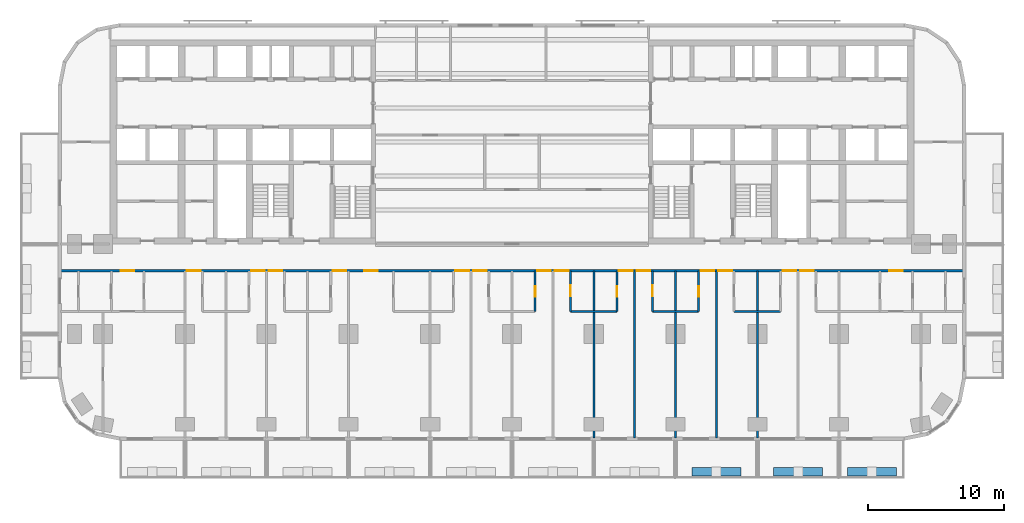
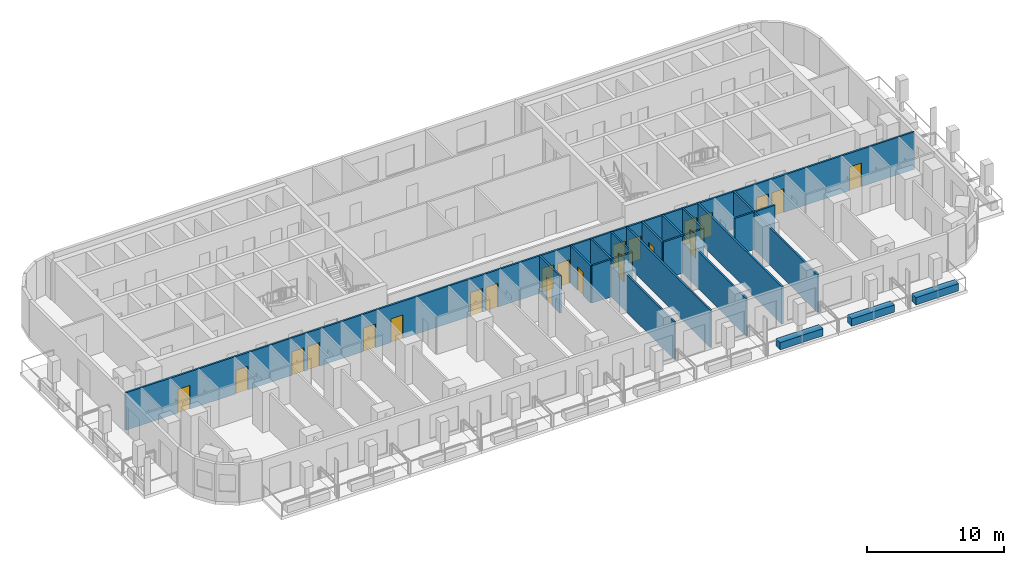
# One storey, part 6 of 15: 22 doors, 17 walls, 22 openings.
"""IFC4 building model written with IfcOpenShell, lengths in metres."""

from ifc_helpers import new_model, si_unit, direction, frame, frame_2d, origin, place, context, subcontext, project, spatial, rectangle, extrude, material, layer, layer_set, type_object, element, fill, save


model = new_model("IFC4")

# Units and contexts
model_context = context("Model", 3, precision=1e-05, world=origin(), true_north=direction((0.0, 1.0)))
body_context = subcontext(model_context, "Body", "Model", "MODEL_VIEW")
ifc_project = project(units=[si_unit("LENGTHUNIT", "METRE"), si_unit("AREAUNIT", "SQUARE_METRE"), si_unit("VOLUMEUNIT", "CUBIC_METRE"), si_unit("PLANEANGLEUNIT", "RADIAN"), si_unit("MASSUNIT", "GRAM", prefix="KILO")], contexts=[model_context])

# Site, building, storey
site_placement = place(None, origin())
site = spatial("IfcSite", under=ifc_project, at=site_placement, CompositionType="ELEMENT")
building_placement = place(site_placement, origin())
building = spatial("IfcBuilding", under=site, at=building_placement, Name="Torana Hotel and Residences", CompositionType="ELEMENT")
storey_placement = place(building_placement, frame((0.0, 0.0, 27.60009765625)))
storey = spatial("IfcBuildingStorey", under=building, at=storey_placement, Name="L05", CompositionType="ELEMENT", Elevation=27.60009765625)

# Wall, openings, doors
ifc_material_1 = material(Name="Gypsum plaster")
ifc_layer_1 = layer(ifc_material_1, 0.014892578125, Name="Plaster", Category="finish")
ifc_material_2 = material(Name="Concrete blockwork", Category="masonry")
ifc_layer_2 = layer(ifc_material_2, 0.1201171875, Name="Blockwork", Category="structure")
ifc_layer_3 = layer(ifc_material_1, 0.014892578125, Name="Plaster", Category="finish")
ifc_layer_set_1 = layer_set([ifc_layer_1, ifc_layer_2, ifc_layer_3], Name="FIRE PARTITION 150 BLOCKWORK")
wall_type_1 = type_object("IfcWallType", Name="FIRE PARTITION 150 BLOCKWORK", PredefinedType="PARTITIONING", material=ifc_layer_set_1)
wall_1_placement = place(storey_placement, frame((-33.1201171875, -16.949951171875, 0.0), z_axis=(0.0, 0.0, 1.0), x_axis=(1.0, 0.0, 0.0)))
wall_1 = element("IfcWall", 1, at=wall_1_placement, inside=storey, type_object=wall_type_1, Name="Partition L05", PredefinedType="PARTITIONING", context=body_context, shape_type="SweptSolid", body=[
    extrude(rectangle(XDim=66.240234375, YDim=0.14990234375, at=frame_2d((33.1201171875, 0.0))), origin(), (0.0, 0.0, 1.0), 3.31982421875),
])
opening_1_placement = place(wall_1_placement, frame((9.27001953125, 0.0, 0.0)))
opening_1 = element("IfcOpeningElement", 2, at=opening_1_placement, cuts=wall_1, Name="Opening L05-40", PredefinedType="OPENING", context=body_context, shape_type="SweptSolid", body=[
    extrude(rectangle(XDim=1.0, YDim=2.10009765625, at=frame_2d((0.5, 1.050048828125))), frame((0.0, 0.0849609375, 0.0), z_axis=(0.0, -1.0, 0.0), x_axis=(1.0, 0.0, 0.0)), (0.0, 0.0, 1.0), 0.169921875),
])
opening_2_placement = place(wall_1_placement, frame((13.969970703125, 0.0, 0.0)))
opening_2 = element("IfcOpeningElement", 3, at=opening_2_placement, cuts=wall_1, Name="Opening L05-41", PredefinedType="OPENING", context=body_context, shape_type="SweptSolid", body=[
    extrude(rectangle(XDim=1.0, YDim=2.10009765625, at=frame_2d((0.5, 1.050048828125))), frame((0.0, 0.0849609375, 0.0), z_axis=(0.0, -1.0, 0.0), x_axis=(1.0, 0.0, 0.0)), (0.0, 0.0, 1.0), 0.169921875),
])
opening_3_placement = place(wall_1_placement, frame((15.27001953125, 0.0, 0.0)))
opening_3 = element("IfcOpeningElement", 4, at=opening_3_placement, cuts=wall_1, Name="Opening L05-42", PredefinedType="OPENING", context=body_context, shape_type="SweptSolid", body=[
    extrude(rectangle(XDim=1.0, YDim=2.10009765625, at=frame_2d((0.5, 1.050048828125))), frame((0.0, 0.0849609375, 0.0), z_axis=(0.0, -1.0, 0.0), x_axis=(1.0, 0.0, 0.0)), (0.0, 0.0, 1.0), 0.169921875),
])
opening_4_placement = place(wall_1_placement, frame((19.969970703125, 0.0, 0.0)))
opening_4 = element("IfcOpeningElement", 5, at=opening_4_placement, cuts=wall_1, Name="Opening L05-43", PredefinedType="OPENING", context=body_context, shape_type="SweptSolid", body=[
    extrude(rectangle(XDim=1.0, YDim=2.10009765625, at=frame_2d((0.5, 1.050048828125))), frame((0.0, 0.0849609375, 0.0), z_axis=(0.0, -1.0, 0.0), x_axis=(1.0, 0.0, 0.0)), (0.0, 0.0, 1.0), 0.169921875),
])
opening_5_placement = place(wall_1_placement, frame((22.27001953125, 0.0, 0.0)))
opening_5 = element("IfcOpeningElement", 6, at=opening_5_placement, cuts=wall_1, Name="Opening L05-44", PredefinedType="OPENING", context=body_context, shape_type="SweptSolid", body=[
    extrude(rectangle(XDim=1.0, YDim=2.10009765625, at=frame_2d((0.5, 1.050048828125))), frame((0.0, 0.0849609375, 0.0), z_axis=(0.0, -1.0, 0.0), x_axis=(1.0, 0.0, 0.0)), (0.0, 0.0, 1.0), 0.169921875),
])
opening_6_placement = place(wall_1_placement, frame((28.969970703125, 0.0, 0.0)))
opening_6 = element("IfcOpeningElement", 7, at=opening_6_placement, cuts=wall_1, Name="Opening L05-45", PredefinedType="OPENING", context=body_context, shape_type="SweptSolid", body=[
    extrude(rectangle(XDim=1.0, YDim=2.10009765625, at=frame_2d((0.5, 1.050048828125))), frame((0.0, 0.0849609375, 0.0), z_axis=(0.0, -1.0, 0.0), x_axis=(1.0, 0.0, 0.0)), (0.0, 0.0, 1.0), 0.169921875),
])
opening_7_placement = place(wall_1_placement, frame((30.27001953125, 0.0, 0.0)))
opening_7 = element("IfcOpeningElement", 8, at=opening_7_placement, cuts=wall_1, Name="Opening L05-46", PredefinedType="OPENING", context=body_context, shape_type="SweptSolid", body=[
    extrude(rectangle(XDim=1.0, YDim=2.10009765625, at=frame_2d((0.5, 1.050048828125))), frame((0.0, 0.0849609375, 0.0), z_axis=(0.0, -1.0, 0.0), x_axis=(1.0, 0.0, 0.0)), (0.0, 0.0, 1.0), 0.169921875),
])
opening_8_placement = place(wall_1_placement, frame((34.969970703125, 0.0, 0.0)))
opening_8 = element("IfcOpeningElement", 9, at=opening_8_placement, cuts=wall_1, Name="Opening L05-47", PredefinedType="OPENING", context=body_context, shape_type="SweptSolid", body=[
    extrude(rectangle(XDim=1.0, YDim=2.10009765625, at=frame_2d((0.5, 1.050048828125))), frame((0.0, 0.0849609375, 0.0), z_axis=(0.0, -1.0, 0.0), x_axis=(1.0, 0.0, 0.0)), (0.0, 0.0, 1.0), 0.169921875),
])
opening_9_placement = place(wall_1_placement, frame((36.27001953125, 0.0, 0.0)))
opening_9 = element("IfcOpeningElement", 10, at=opening_9_placement, cuts=wall_1, Name="Opening L05-48", PredefinedType="OPENING", context=body_context, shape_type="SweptSolid", body=[
    extrude(rectangle(XDim=1.0, YDim=2.10009765625, at=frame_2d((0.5, 1.050048828125))), frame((0.0, 0.0849609375, 0.0), z_axis=(0.0, -1.0, 0.0), x_axis=(1.0, 0.0, 0.0)), (0.0, 0.0, 1.0), 0.169921875),
])
opening_10_placement = place(wall_1_placement, frame((40.969970703125, 0.0, 0.0)))
opening_10 = element("IfcOpeningElement", 11, at=opening_10_placement, cuts=wall_1, Name="Opening L05-49", PredefinedType="OPENING", context=body_context, shape_type="SweptSolid", body=[
    extrude(rectangle(XDim=1.0, YDim=2.10009765625, at=frame_2d((0.5, 1.050048828125))), frame((0.0, 0.0849609375, 0.0), z_axis=(0.0, -1.0, 0.0), x_axis=(1.0, 0.0, 0.0)), (0.0, 0.0, 1.0), 0.169921875),
])
opening_11_placement = place(wall_1_placement, frame((42.27001953125, 0.0, 0.0)))
opening_11 = element("IfcOpeningElement", 12, at=opening_11_placement, cuts=wall_1, Name="Opening L05-50", PredefinedType="OPENING", context=body_context, shape_type="SweptSolid", body=[
    extrude(rectangle(XDim=1.0, YDim=2.10009765625, at=frame_2d((0.5, 1.050048828125))), frame((0.0, 0.0849609375, 0.0), z_axis=(0.0, -1.0, 0.0), x_axis=(1.0, 0.0, 0.0)), (0.0, 0.0, 1.0), 0.169921875),
])
opening_12_placement = place(wall_1_placement, frame((46.969970703125, 0.0, 0.0)))
opening_12 = element("IfcOpeningElement", 13, at=opening_12_placement, cuts=wall_1, Name="Opening L05-51", PredefinedType="OPENING", context=body_context, shape_type="SweptSolid", body=[
    extrude(rectangle(XDim=1.0, YDim=2.10009765625, at=frame_2d((0.5, 1.050048828125))), frame((0.0, 0.0849609375, 0.0), z_axis=(0.0, -1.0, 0.0), x_axis=(1.0, 0.0, 0.0)), (0.0, 0.0, 1.0), 0.169921875),
])
opening_13_placement = place(wall_1_placement, frame((48.27001953125, 0.0, 0.0)))
opening_13 = element("IfcOpeningElement", 14, at=opening_13_placement, cuts=wall_1, Name="Opening L05-52", PredefinedType="OPENING", context=body_context, shape_type="SweptSolid", body=[
    extrude(rectangle(XDim=1.0, YDim=2.10009765625, at=frame_2d((0.5, 1.050048828125))), frame((0.0, 0.0849609375, 0.0), z_axis=(0.0, -1.0, 0.0), x_axis=(1.0, 0.0, 0.0)), (0.0, 0.0, 1.0), 0.169921875),
])
opening_14_placement = place(wall_1_placement, frame((52.969970703125, 0.0, 0.0)))
opening_14 = element("IfcOpeningElement", 15, at=opening_14_placement, cuts=wall_1, Name="Opening L05-53", PredefinedType="OPENING", context=body_context, shape_type="SweptSolid", body=[
    extrude(rectangle(XDim=1.0, YDim=2.10009765625, at=frame_2d((0.5, 1.050048828125))), frame((0.0, 0.0849609375, 0.0), z_axis=(0.0, -1.0, 0.0), x_axis=(1.0, 0.0, 0.0)), (0.0, 0.0, 1.0), 0.169921875),
])
opening_15_placement = place(wall_1_placement, frame((54.27001953125, 0.0, 0.0)))
opening_15 = element("IfcOpeningElement", 16, at=opening_15_placement, cuts=wall_1, Name="Opening L05-54", PredefinedType="OPENING", context=body_context, shape_type="SweptSolid", body=[
    extrude(rectangle(XDim=1.0, YDim=2.10009765625, at=frame_2d((0.5, 1.050048828125))), frame((0.0, 0.0849609375, 0.0), z_axis=(0.0, -1.0, 0.0), x_axis=(1.0, 0.0, 0.0)), (0.0, 0.0, 1.0), 0.169921875),
])
opening_16_placement = place(wall_1_placement, frame((4.39990234375, 0.0, 0.0)))
opening_16 = element("IfcOpeningElement", 17, at=opening_16_placement, cuts=wall_1, Name="Opening L05-55", PredefinedType="OPENING", context=body_context, shape_type="SweptSolid", body=[
    extrude(rectangle(XDim=1.0, YDim=2.10009765625, at=frame_2d((0.5, 1.050048828125))), frame((0.0, 0.0849609375, 0.0), z_axis=(0.0, -1.0, 0.0), x_axis=(1.0, 0.0, 0.0)), (0.0, 0.0, 1.0), 0.169921875),
])
opening_17_placement = place(wall_1_placement, frame((60.800048828125, 0.0, 0.0)))
opening_17 = element("IfcOpeningElement", 18, at=opening_17_placement, cuts=wall_1, Name="Opening L05-56", PredefinedType="OPENING", context=body_context, shape_type="SweptSolid", body=[
    extrude(rectangle(XDim=1.0, YDim=2.10009765625, at=frame_2d((0.5, 1.050048828125))), frame((0.0, 0.0849609375, 0.0), z_axis=(0.0, -1.0, 0.0), x_axis=(1.0, 0.0, 0.0)), (0.0, 0.0, 1.0), 0.169921875),
])
ifc_material_3 = material(Name="Steel S235", Category="steel")
door_type_1 = type_object("IfcDoorType", Name="ENTRY FIRE DOOR D6 1000x2100", OperationType="SINGLE_SWING_LEFT", PredefinedType="DOOR", material=ifc_material_3)
door_1_placement = place(opening_1_placement, frame((0.5, 0.0, 0.0), z_axis=(0.0, 0.0, 1.0), x_axis=(-1.0, 0.0, 0.0)))
door_1 = element("IfcDoor", 19, at=door_1_placement, inside=storey, type_object=door_type_1, Name="Door L05", OperationType="SINGLE_SWING_LEFT", OverallHeight=2.10009765625, OverallWidth=1.0, PredefinedType="DOOR", context=body_context, shape_type="SweptSolid", body=[
    extrude(rectangle(XDim=1.0, YDim=2.10009765625, at=frame_2d((0.0, 1.050048828125))), frame((0.0, -0.02490234375, 0.0), z_axis=(0.0, 1.0, 0.0), x_axis=(-1.0, 0.0, 0.0)), (0.0, 0.0, 1.0), 0.050048828125),
])
fill(opening_1, door_1)
door_2_placement = place(opening_2_placement, frame((0.5, 0.0, 0.0), z_axis=(0.0, 0.0, 1.0), x_axis=(-1.0, 0.0, 0.0)))
door_2 = element("IfcDoor", 20, at=door_2_placement, inside=storey, type_object=door_type_1, Name="Door L05", OperationType="SINGLE_SWING_LEFT", OverallHeight=2.10009765625, OverallWidth=1.0, PredefinedType="DOOR", context=body_context, shape_type="SweptSolid", body=[
    extrude(rectangle(XDim=1.0, YDim=2.10009765625, at=frame_2d((0.0, 1.050048828125))), frame((0.0, -0.02490234375, 0.0), z_axis=(0.0, 1.0, 0.0), x_axis=(-1.0, 0.0, 0.0)), (0.0, 0.0, 1.0), 0.050048828125),
])
fill(opening_2, door_2)
door_3_placement = place(opening_3_placement, frame((0.5, 0.0, 0.0), z_axis=(0.0, 0.0, 1.0), x_axis=(-1.0, 0.0, 0.0)))
door_3 = element("IfcDoor", 21, at=door_3_placement, inside=storey, type_object=door_type_1, Name="Door L05", OperationType="SINGLE_SWING_LEFT", OverallHeight=2.10009765625, OverallWidth=1.0, PredefinedType="DOOR", context=body_context, shape_type="SweptSolid", body=[
    extrude(rectangle(XDim=1.0, YDim=2.10009765625, at=frame_2d((0.0, 1.050048828125))), frame((0.0, -0.02490234375, 0.0), z_axis=(0.0, 1.0, 0.0), x_axis=(-1.0, 0.0, 0.0)), (0.0, 0.0, 1.0), 0.050048828125),
])
fill(opening_3, door_3)
door_4_placement = place(opening_4_placement, frame((0.5, 0.0, 0.0), z_axis=(0.0, 0.0, 1.0), x_axis=(-1.0, 0.0, 0.0)))
door_4 = element("IfcDoor", 22, at=door_4_placement, inside=storey, type_object=door_type_1, Name="Door L05", OperationType="SINGLE_SWING_LEFT", OverallHeight=2.10009765625, OverallWidth=1.0, PredefinedType="DOOR", context=body_context, shape_type="SweptSolid", body=[
    extrude(rectangle(XDim=1.0, YDim=2.10009765625, at=frame_2d((0.0, 1.050048828125))), frame((0.0, -0.02490234375, 0.0), z_axis=(0.0, 1.0, 0.0), x_axis=(-1.0, 0.0, 0.0)), (0.0, 0.0, 1.0), 0.050048828125),
])
fill(opening_4, door_4)
door_5_placement = place(opening_5_placement, frame((0.5, 0.0, 0.0), z_axis=(0.0, 0.0, 1.0), x_axis=(-1.0, 0.0, 0.0)))
door_5 = element("IfcDoor", 23, at=door_5_placement, inside=storey, type_object=door_type_1, Name="Door L05", OperationType="SINGLE_SWING_LEFT", OverallHeight=2.10009765625, OverallWidth=1.0, PredefinedType="DOOR", context=body_context, shape_type="SweptSolid", body=[
    extrude(rectangle(XDim=1.0, YDim=2.10009765625, at=frame_2d((0.0, 1.050048828125))), frame((0.0, -0.02490234375, 0.0), z_axis=(0.0, 1.0, 0.0), x_axis=(-1.0, 0.0, 0.0)), (0.0, 0.0, 1.0), 0.050048828125),
])
fill(opening_5, door_5)
door_6_placement = place(opening_6_placement, frame((0.5, 0.0, 0.0), z_axis=(0.0, 0.0, 1.0), x_axis=(-1.0, 0.0, 0.0)))
door_6 = element("IfcDoor", 24, at=door_6_placement, inside=storey, type_object=door_type_1, Name="Door L05", OperationType="SINGLE_SWING_LEFT", OverallHeight=2.10009765625, OverallWidth=1.0, PredefinedType="DOOR", context=body_context, shape_type="SweptSolid", body=[
    extrude(rectangle(XDim=1.0, YDim=2.10009765625, at=frame_2d((0.0, 1.050048828125))), frame((0.0, -0.02490234375, 0.0), z_axis=(0.0, 1.0, 0.0), x_axis=(-1.0, 0.0, 0.0)), (0.0, 0.0, 1.0), 0.050048828125),
])
fill(opening_6, door_6)
door_7_placement = place(opening_7_placement, frame((0.5, 0.0, 0.0), z_axis=(0.0, 0.0, 1.0), x_axis=(-1.0, 0.0, 0.0)))
door_7 = element("IfcDoor", 25, at=door_7_placement, inside=storey, type_object=door_type_1, Name="Door L05", OperationType="SINGLE_SWING_LEFT", OverallHeight=2.10009765625, OverallWidth=1.0, PredefinedType="DOOR", context=body_context, shape_type="SweptSolid", body=[
    extrude(rectangle(XDim=1.0, YDim=2.10009765625, at=frame_2d((0.0, 1.050048828125))), frame((0.0, -0.02490234375, 0.0), z_axis=(0.0, 1.0, 0.0), x_axis=(-1.0, 0.0, 0.0)), (0.0, 0.0, 1.0), 0.050048828125),
])
fill(opening_7, door_7)
door_8_placement = place(opening_8_placement, frame((0.5, 0.0, 0.0), z_axis=(0.0, 0.0, 1.0), x_axis=(-1.0, 0.0, 0.0)))
door_8 = element("IfcDoor", 26, at=door_8_placement, inside=storey, type_object=door_type_1, Name="Door L05", OperationType="SINGLE_SWING_LEFT", OverallHeight=2.10009765625, OverallWidth=1.0, PredefinedType="DOOR", context=body_context, shape_type="SweptSolid", body=[
    extrude(rectangle(XDim=1.0, YDim=2.10009765625, at=frame_2d((0.0, 1.050048828125))), frame((0.0, -0.02490234375, 0.0), z_axis=(0.0, 1.0, 0.0), x_axis=(-1.0, 0.0, 0.0)), (0.0, 0.0, 1.0), 0.050048828125),
])
fill(opening_8, door_8)
door_9_placement = place(opening_9_placement, frame((0.5, 0.0, 0.0), z_axis=(0.0, 0.0, 1.0), x_axis=(-1.0, 0.0, 0.0)))
door_9 = element("IfcDoor", 27, at=door_9_placement, inside=storey, type_object=door_type_1, Name="Door L05", OperationType="SINGLE_SWING_LEFT", OverallHeight=2.10009765625, OverallWidth=1.0, PredefinedType="DOOR", context=body_context, shape_type="SweptSolid", body=[
    extrude(rectangle(XDim=1.0, YDim=2.10009765625, at=frame_2d((0.0, 1.050048828125))), frame((0.0, -0.02490234375, 0.0), z_axis=(0.0, 1.0, 0.0), x_axis=(-1.0, 0.0, 0.0)), (0.0, 0.0, 1.0), 0.050048828125),
])
fill(opening_9, door_9)
door_10_placement = place(opening_10_placement, frame((0.5, 0.0, 0.0), z_axis=(0.0, 0.0, 1.0), x_axis=(-1.0, 0.0, 0.0)))
door_10 = element("IfcDoor", 28, at=door_10_placement, inside=storey, type_object=door_type_1, Name="Door L05", OperationType="SINGLE_SWING_LEFT", OverallHeight=2.10009765625, OverallWidth=1.0, PredefinedType="DOOR", context=body_context, shape_type="SweptSolid", body=[
    extrude(rectangle(XDim=1.0, YDim=2.10009765625, at=frame_2d((0.0, 1.050048828125))), frame((0.0, -0.02490234375, 0.0), z_axis=(0.0, 1.0, 0.0), x_axis=(-1.0, 0.0, 0.0)), (0.0, 0.0, 1.0), 0.050048828125),
])
fill(opening_10, door_10)
door_11_placement = place(opening_11_placement, frame((0.5, 0.0, 0.0), z_axis=(0.0, 0.0, 1.0), x_axis=(-1.0, 0.0, 0.0)))
door_11 = element("IfcDoor", 29, at=door_11_placement, inside=storey, type_object=door_type_1, Name="Door L05", OperationType="SINGLE_SWING_LEFT", OverallHeight=2.10009765625, OverallWidth=1.0, PredefinedType="DOOR", context=body_context, shape_type="SweptSolid", body=[
    extrude(rectangle(XDim=1.0, YDim=2.10009765625, at=frame_2d((0.0, 1.050048828125))), frame((0.0, -0.02490234375, 0.0), z_axis=(0.0, 1.0, 0.0), x_axis=(-1.0, 0.0, 0.0)), (0.0, 0.0, 1.0), 0.050048828125),
])
fill(opening_11, door_11)
door_12_placement = place(opening_12_placement, frame((0.5, 0.0, 0.0), z_axis=(0.0, 0.0, 1.0), x_axis=(-1.0, 0.0, 0.0)))
door_12 = element("IfcDoor", 30, at=door_12_placement, inside=storey, type_object=door_type_1, Name="Door L05", OperationType="SINGLE_SWING_LEFT", OverallHeight=2.10009765625, OverallWidth=1.0, PredefinedType="DOOR", context=body_context, shape_type="SweptSolid", body=[
    extrude(rectangle(XDim=1.0, YDim=2.10009765625, at=frame_2d((0.0, 1.050048828125))), frame((0.0, -0.02490234375, 0.0), z_axis=(0.0, 1.0, 0.0), x_axis=(-1.0, 0.0, 0.0)), (0.0, 0.0, 1.0), 0.050048828125),
])
fill(opening_12, door_12)
door_13_placement = place(opening_13_placement, frame((0.5, 0.0, 0.0), z_axis=(0.0, 0.0, 1.0), x_axis=(-1.0, 0.0, 0.0)))
door_13 = element("IfcDoor", 31, at=door_13_placement, inside=storey, type_object=door_type_1, Name="Door L05", OperationType="SINGLE_SWING_LEFT", OverallHeight=2.10009765625, OverallWidth=1.0, PredefinedType="DOOR", context=body_context, shape_type="SweptSolid", body=[
    extrude(rectangle(XDim=1.0, YDim=2.10009765625, at=frame_2d((0.0, 1.050048828125))), frame((0.0, -0.02490234375, 0.0), z_axis=(0.0, 1.0, 0.0), x_axis=(-1.0, 0.0, 0.0)), (0.0, 0.0, 1.0), 0.050048828125),
])
fill(opening_13, door_13)
door_14_placement = place(opening_14_placement, frame((0.5, 0.0, 0.0), z_axis=(0.0, 0.0, 1.0), x_axis=(-1.0, 0.0, 0.0)))
door_14 = element("IfcDoor", 32, at=door_14_placement, inside=storey, type_object=door_type_1, Name="Door L05", OperationType="SINGLE_SWING_LEFT", OverallHeight=2.10009765625, OverallWidth=1.0, PredefinedType="DOOR", context=body_context, shape_type="SweptSolid", body=[
    extrude(rectangle(XDim=1.0, YDim=2.10009765625, at=frame_2d((0.0, 1.050048828125))), frame((0.0, -0.02490234375, 0.0), z_axis=(0.0, 1.0, 0.0), x_axis=(-1.0, 0.0, 0.0)), (0.0, 0.0, 1.0), 0.050048828125),
])
fill(opening_14, door_14)
door_15_placement = place(opening_15_placement, frame((0.5, 0.0, 0.0), z_axis=(0.0, 0.0, 1.0), x_axis=(-1.0, 0.0, 0.0)))
door_15 = element("IfcDoor", 33, at=door_15_placement, inside=storey, type_object=door_type_1, Name="Door L05", OperationType="SINGLE_SWING_LEFT", OverallHeight=2.10009765625, OverallWidth=1.0, PredefinedType="DOOR", context=body_context, shape_type="SweptSolid", body=[
    extrude(rectangle(XDim=1.0, YDim=2.10009765625, at=frame_2d((0.0, 1.050048828125))), frame((0.0, -0.02490234375, 0.0), z_axis=(0.0, 1.0, 0.0), x_axis=(-1.0, 0.0, 0.0)), (0.0, 0.0, 1.0), 0.050048828125),
])
fill(opening_15, door_15)
door_16_placement = place(opening_16_placement, origin())
door_16 = element("IfcDoor", 34, at=door_16_placement, inside=storey, type_object=door_type_1, Name="Door L05", OperationType="SINGLE_SWING_RIGHT", OverallHeight=2.10009765625, OverallWidth=1.0, PredefinedType="DOOR", context=body_context, shape_type="SweptSolid", body=[
    extrude(rectangle(XDim=1.0, YDim=2.10009765625, at=frame_2d((0.5, 1.050048828125))), frame((0.0, 0.02490234375, 0.0), z_axis=(0.0, -1.0, 0.0), x_axis=(1.0, 0.0, 0.0)), (0.0, 0.0, 1.0), 0.050048828125),
])
fill(opening_16, door_16)
door_17_placement = place(opening_17_placement, origin())
door_17 = element("IfcDoor", 35, at=door_17_placement, inside=storey, type_object=door_type_1, Name="Door L05", OperationType="SINGLE_SWING_RIGHT", OverallHeight=2.10009765625, OverallWidth=1.0, PredefinedType="DOOR", context=body_context, shape_type="SweptSolid", body=[
    extrude(rectangle(XDim=1.0, YDim=2.10009765625, at=frame_2d((0.5, 1.050048828125))), frame((0.0, 0.02490234375, 0.0), z_axis=(0.0, -1.0, 0.0), x_axis=(1.0, 0.0, 0.0)), (0.0, 0.0, 1.0), 0.050048828125),
])
fill(opening_17, door_17)

# Walls
ifc_material_4 = material(Name="Gypsum plasterboard")
ifc_layer_4 = layer(ifc_material_4, 0.012451171875, Name="Plasterboard", Category="finish")
ifc_layer_5 = layer(ifc_material_4, 0.012451171875, Name="Plasterboard", Category="finish")
ifc_material_5 = material(Name="Steel S280GD", Category="steel")
ifc_layer_6 = layer(ifc_material_5, 0.10009765625, Name="Steel studs with mineral wool", Category="insulation")
ifc_layer_7 = layer(ifc_material_4, 0.012451171875, Name="Plasterboard", Category="finish")
ifc_layer_8 = layer(ifc_material_4, 0.012451171875, Name="Plasterboard", Category="finish")
ifc_layer_set_2 = layer_set([ifc_layer_4, ifc_layer_5, ifc_layer_6, ifc_layer_7, ifc_layer_8], Name="PARTITION 150 PLASTERBOARD")
wall_type_2 = type_object("IfcWallType", Name="PARTITION 150 PLASTERBOARD", PredefinedType="PARTITIONING", material=ifc_layer_set_2)
for number, where, z_axis, x_axis, name in (
    (36, (18.0, -29.219970703125, 0.0), (0.0, 0.0, 1.0), (0.0, 1.0, 0.0), "Partition L05"),
    (37, (15.0, -29.219970703125, 0.0), (0.0, 0.0, 1.0), (0.0, 1.0, 0.0), "Partition L05"),
):
    element("IfcWall", number, at=place(storey_placement, frame(where, z_axis=z_axis, x_axis=x_axis)), inside=storey, type_object=wall_type_2, Name=name, PredefinedType="PARTITIONING", context=body_context, shape_type="SweptSolid", body=[
        extrude(rectangle(XDim=12.27001953125, YDim=0.14990234375, at=frame_2d((6.135009765625, 0.0))), origin(), (0.0, 0.0, 1.0), 3.31982421875),
    ])

# Wall, opening, door
wall_2_placement = place(storey_placement, frame((13.699951171875, -19.949951171875, 0.0), z_axis=(0.0, 0.0, 1.0), x_axis=(0.0, 1.0, 0.0)))
wall_2 = element("IfcWall", 38, at=wall_2_placement, inside=storey, type_object=wall_type_2, Name="Partition L05", PredefinedType="PARTITIONING", context=body_context, shape_type="SweptSolid", body=[
    extrude(rectangle(XDim=3.0, YDim=0.14990234375, at=frame_2d((1.5, 0.0))), origin(), (0.0, 0.0, 1.0), 3.31982421875),
])
opening_18_placement = place(wall_2_placement, frame((1.080078125, 0.0, 0.0)))
opening_18 = element("IfcOpeningElement", 39, at=opening_18_placement, cuts=wall_2, Name="Opening L05-78", PredefinedType="OPENING", context=body_context, shape_type="SweptSolid", body=[
    extrude(rectangle(XDim=0.800048828125, YDim=2.10009765625, at=frame_2d((0.39990234375, 1.050048828125))), frame((0.0, 0.0849609375, 0.0), z_axis=(0.0, -1.0, 0.0), x_axis=(1.0, 0.0, 0.0)), (0.0, 0.0, 1.0), 0.169921875),
])
ifc_material_6 = material(Name="Timber door, painted", Category="wood")
door_type_2 = type_object("IfcDoorType", Name="BATH DOOR D13 800x2100", OperationType="SINGLE_SWING_LEFT", PredefinedType="DOOR", material=ifc_material_6)
door_18_placement = place(opening_18_placement, origin())
door_18 = element("IfcDoor", 40, at=door_18_placement, inside=storey, type_object=door_type_2, Name="Door L05", OperationType="SINGLE_SWING_RIGHT", OverallHeight=2.10009765625, OverallWidth=0.800048828125, PredefinedType="DOOR", context=body_context, shape_type="SweptSolid", body=[
    extrude(rectangle(XDim=0.800048828125, YDim=2.10009765625, at=frame_2d((0.39990234375, 1.050048828125))), frame((0.0, 0.02490234375, 0.0), z_axis=(0.0, -1.0, 0.0), x_axis=(1.0, 0.0, 0.0)), (0.0, 0.0, 1.0), 0.050048828125),
])
fill(opening_18, door_18)

# Wall
wall_3_placement = place(storey_placement, frame((12.0, -29.219970703125, 0.0), z_axis=(0.0, 0.0, 1.0), x_axis=(0.0, 1.0, 0.0)))
element("IfcWall", 41, at=wall_3_placement, inside=storey, type_object=wall_type_2, Name="Partition L05", PredefinedType="PARTITIONING", context=body_context, shape_type="SweptSolid", body=[
    extrude(rectangle(XDim=12.27001953125, YDim=0.14990234375, at=frame_2d((6.135009765625, 0.0))), origin(), (0.0, 0.0, 1.0), 3.31982421875),
])

# Wall, opening, door
wall_4_placement = place(storey_placement, frame((10.300048828125, -19.949951171875, 0.0), z_axis=(0.0, 0.0, 1.0), x_axis=(0.0, 1.0, 0.0)))
wall_4 = element("IfcWall", 42, at=wall_4_placement, inside=storey, type_object=wall_type_2, Name="Partition L05", PredefinedType="PARTITIONING", context=body_context, shape_type="SweptSolid", body=[
    extrude(rectangle(XDim=3.0, YDim=0.14990234375, at=frame_2d((1.5, 0.0))), origin(), (0.0, 0.0, 1.0), 3.31982421875),
])
opening_19_placement = place(wall_4_placement, frame((1.1201171875, 0.0, 0.0)))
opening_19 = element("IfcOpeningElement", 43, at=opening_19_placement, cuts=wall_4, Name="Opening L05-77", PredefinedType="OPENING", context=body_context, shape_type="SweptSolid", body=[
    extrude(rectangle(XDim=0.800048828125, YDim=2.10009765625, at=frame_2d((0.39990234375, 1.050048828125))), frame((0.0, 0.0849609375, 0.0), z_axis=(0.0, -1.0, 0.0), x_axis=(1.0, 0.0, 0.0)), (0.0, 0.0, 1.0), 0.169921875),
])
door_19_placement = place(opening_19_placement, origin())
door_19 = element("IfcDoor", 44, at=door_19_placement, inside=storey, type_object=door_type_2, Name="Door L05", OperationType="SINGLE_SWING_LEFT", OverallHeight=2.10009765625, OverallWidth=0.800048828125, PredefinedType="DOOR", context=body_context, shape_type="SweptSolid", body=[
    extrude(rectangle(XDim=0.800048828125, YDim=2.10009765625, at=frame_2d((0.39990234375, 1.050048828125))), frame((0.0, 0.02490234375, 0.0), z_axis=(0.0, -1.0, 0.0), x_axis=(1.0, 0.0, 0.0)), (0.0, 0.0, 1.0), 0.050048828125),
])
fill(opening_19, door_19)

# Wall
wall_5_placement = place(storey_placement, frame((9.0, -29.219970703125, 0.0), z_axis=(0.0, 0.0, 1.0), x_axis=(0.0, 1.0, 0.0)))
element("IfcWall", 45, at=wall_5_placement, inside=storey, type_object=wall_type_2, Name="Partition L05", PredefinedType="PARTITIONING", context=body_context, shape_type="SweptSolid", body=[
    extrude(rectangle(XDim=12.27001953125, YDim=0.14990234375, at=frame_2d((6.135009765625, 0.0))), origin(), (0.0, 0.0, 1.0), 3.31982421875),
])

# Wall, opening, door
wall_6_placement = place(storey_placement, frame((7.699951171875, -19.949951171875, 0.0), z_axis=(0.0, 0.0, 1.0), x_axis=(0.0, 1.0, 0.0)))
wall_6 = element("IfcWall", 46, at=wall_6_placement, inside=storey, type_object=wall_type_2, Name="Partition L05", PredefinedType="PARTITIONING", context=body_context, shape_type="SweptSolid", body=[
    extrude(rectangle(XDim=3.0, YDim=0.14990234375, at=frame_2d((1.5, 0.0))), origin(), (0.0, 0.0, 1.0), 3.31982421875),
])
opening_20_placement = place(wall_6_placement, frame((1.080078125, 0.0, 0.0)))
opening_20 = element("IfcOpeningElement", 47, at=opening_20_placement, cuts=wall_6, Name="Opening L05-76", PredefinedType="OPENING", context=body_context, shape_type="SweptSolid", body=[
    extrude(rectangle(XDim=0.800048828125, YDim=2.10009765625, at=frame_2d((0.39990234375, 1.050048828125))), frame((0.0, 0.0849609375, 0.0), z_axis=(0.0, -1.0, 0.0), x_axis=(1.0, 0.0, 0.0)), (0.0, 0.0, 1.0), 0.169921875),
])
door_20_placement = place(opening_20_placement, origin())
door_20 = element("IfcDoor", 48, at=door_20_placement, inside=storey, type_object=door_type_2, Name="Door L05", OperationType="SINGLE_SWING_RIGHT", OverallHeight=2.10009765625, OverallWidth=0.800048828125, PredefinedType="DOOR", context=body_context, shape_type="SweptSolid", body=[
    extrude(rectangle(XDim=0.800048828125, YDim=2.10009765625, at=frame_2d((0.39990234375, 1.050048828125))), frame((0.0, 0.02490234375, 0.0), z_axis=(0.0, -1.0, 0.0), x_axis=(1.0, 0.0, 0.0)), (0.0, 0.0, 1.0), 0.050048828125),
])
fill(opening_20, door_20)

# Wall
wall_7_placement = place(storey_placement, frame((6.0, -29.219970703125, 0.0), z_axis=(0.0, 0.0, 1.0), x_axis=(0.0, 1.0, 0.0)))
element("IfcWall", 49, at=wall_7_placement, inside=storey, type_object=wall_type_2, Name="Partition L05", PredefinedType="PARTITIONING", context=body_context, shape_type="SweptSolid", body=[
    extrude(rectangle(XDim=12.27001953125, YDim=0.14990234375, at=frame_2d((6.135009765625, 0.0))), origin(), (0.0, 0.0, 1.0), 3.31982421875),
])

# Wall, opening, door
wall_8_placement = place(storey_placement, frame((4.300048828125, -19.949951171875, 0.0), z_axis=(0.0, 0.0, 1.0), x_axis=(0.0, 1.0, 0.0)))
wall_8 = element("IfcWall", 50, at=wall_8_placement, inside=storey, type_object=wall_type_2, Name="Partition L05", PredefinedType="PARTITIONING", context=body_context, shape_type="SweptSolid", body=[
    extrude(rectangle(XDim=3.0, YDim=0.14990234375, at=frame_2d((1.5, 0.0))), origin(), (0.0, 0.0, 1.0), 3.31982421875),
])
opening_21_placement = place(wall_8_placement, frame((1.1201171875, 0.0, 0.0)))
opening_21 = element("IfcOpeningElement", 51, at=opening_21_placement, cuts=wall_8, Name="Opening L05-75", PredefinedType="OPENING", context=body_context, shape_type="SweptSolid", body=[
    extrude(rectangle(XDim=0.800048828125, YDim=2.10009765625, at=frame_2d((0.39990234375, 1.050048828125))), frame((0.0, 0.0849609375, 0.0), z_axis=(0.0, -1.0, 0.0), x_axis=(1.0, 0.0, 0.0)), (0.0, 0.0, 1.0), 0.169921875),
])
door_21_placement = place(opening_21_placement, origin())
door_21 = element("IfcDoor", 52, at=door_21_placement, inside=storey, type_object=door_type_2, Name="Door L05", OperationType="SINGLE_SWING_LEFT", OverallHeight=2.10009765625, OverallWidth=0.800048828125, PredefinedType="DOOR", context=body_context, shape_type="SweptSolid", body=[
    extrude(rectangle(XDim=0.800048828125, YDim=2.10009765625, at=frame_2d((0.39990234375, 1.050048828125))), frame((0.0, 0.02490234375, 0.0), z_axis=(0.0, -1.0, 0.0), x_axis=(1.0, 0.0, 0.0)), (0.0, 0.0, 1.0), 0.050048828125),
])
fill(opening_21, door_21)

wall_9_placement = place(storey_placement, frame((1.699951171875, -19.949951171875, 0.0), z_axis=(0.0, 0.0, 1.0), x_axis=(0.0, 1.0, 0.0)))
wall_9 = element("IfcWall", 53, at=wall_9_placement, inside=storey, type_object=wall_type_2, Name="Partition L05", PredefinedType="PARTITIONING", context=body_context, shape_type="SweptSolid", body=[
    extrude(rectangle(XDim=3.0, YDim=0.14990234375, at=frame_2d((1.5, 0.0))), origin(), (0.0, 0.0, 1.0), 3.31982421875),
])
opening_22_placement = place(wall_9_placement, frame((1.080078125, 0.0, 0.0)))
opening_22 = element("IfcOpeningElement", 54, at=opening_22_placement, cuts=wall_9, Name="Opening L05-74", PredefinedType="OPENING", context=body_context, shape_type="SweptSolid", body=[
    extrude(rectangle(XDim=0.800048828125, YDim=2.10009765625, at=frame_2d((0.39990234375, 1.050048828125))), frame((0.0, 0.0849609375, 0.0), z_axis=(0.0, -1.0, 0.0), x_axis=(1.0, 0.0, 0.0)), (0.0, 0.0, 1.0), 0.169921875),
])
door_22_placement = place(opening_22_placement, origin())
door_22 = element("IfcDoor", 55, at=door_22_placement, inside=storey, type_object=door_type_2, Name="Door L05", OperationType="SINGLE_SWING_RIGHT", OverallHeight=2.10009765625, OverallWidth=0.800048828125, PredefinedType="DOOR", context=body_context, shape_type="SweptSolid", body=[
    extrude(rectangle(XDim=0.800048828125, YDim=2.10009765625, at=frame_2d((0.39990234375, 1.050048828125))), frame((0.0, 0.02490234375, 0.0), z_axis=(0.0, -1.0, 0.0), x_axis=(1.0, 0.0, 0.0)), (0.0, 0.0, 1.0), 0.050048828125),
])
fill(opening_22, door_22)

# Walls
for number, where, z_axis, x_axis, name in (
    (56, (4.300048828125, -19.949951171875, 0.0), (0.0, 0.0, 1.0), (1.0, 0.0, 0.0), "Partition L05"),
    (57, (10.300048828125, -19.949951171875, 0.0), (0.0, 0.0, 1.0), (1.0, 0.0, 0.0), "Partition L05"),
    (58, (16.300048828125, -19.949951171875, 0.0), (0.0, 0.0, 1.0), (1.0, 0.0, 0.0), "Partition L05"),
):
    element("IfcWall", number, at=place(storey_placement, frame(where, z_axis=z_axis, x_axis=x_axis)), inside=storey, type_object=wall_type_2, Name=name, PredefinedType="PARTITIONING", context=body_context, shape_type="SweptSolid", body=[
        extrude(rectangle(XDim=3.39990234375, YDim=0.14990234375, at=frame_2d((1.699951171875, 0.0))), origin(), (0.0, 0.0, 1.0), 3.31982421875),
    ])
ifc_material_7 = material(Name="Concrete C40/50 precast", Category="concrete")
ifc_layer_9 = layer(ifc_material_7, 0.10009765625, Name="Planter shell", Category="structure")
ifc_material_8 = material(Name="Root resistant membrane")
ifc_layer_10 = layer(ifc_material_8, 0.00390625, Name="Waterproofing membrane", Category="membrane")
ifc_material_9 = material(Name="Drainage board with filter fleece")
ifc_layer_11 = layer(ifc_material_9, 0.02001953125, Name="Drainage board", Category="drainage")
ifc_material_10 = material(Name="Growing medium")
ifc_layer_12 = layer(ifc_material_10, 0.47607421875, Name="Planting substrate", Category="soil")
ifc_layer_set_3 = layer_set([ifc_layer_9, ifc_layer_10, ifc_layer_11, ifc_layer_12], Name="PL1 BALCONY PLANTER 600")
wall_type_3 = type_object("IfcWallType", Name="PL1 BALCONY PLANTER 600", PredefinedType="USERDEFINED", material=ifc_layer_set_3)
for number, where, z_axis, x_axis, name in (
    (59, (16.800048828125, -31.699951171875, 0.0), (0.0, 0.0, 1.0), (-1.0, 0.0, 0.0), "Planter 08"),
    (60, (22.800048828125, -31.699951171875, 0.0), (0.0, 0.0, 1.0), (-1.0, 0.0, 0.0), "Planter 09"),
):
    element("IfcWall", number, at=place(storey_placement, frame(where, z_axis=z_axis, x_axis=x_axis)), inside=storey, type_object=wall_type_3, Name=name, ObjectType="PLANTER", PredefinedType="USERDEFINED", context=body_context, shape_type="SweptSolid", body=[
        extrude(rectangle(XDim=3.60009765625, YDim=0.60009765625, at=frame_2d((1.800048828125, 0.0))), origin(), (0.0, 0.0, 1.0), 0.64990234375),
    ])
wall_10_placement = place(storey_placement, frame((28.199951171875, -31.699951171875, 0.0), z_axis=(0.0, 0.0, 1.0), x_axis=(-1.0, 0.0, 0.0)))
element("IfcWall", 61, at=wall_10_placement, inside=storey, type_object=wall_type_3, Name="Planter 10", ObjectType="PLANTER", PredefinedType="USERDEFINED", context=body_context, shape_type="SweptSolid", body=[
    extrude(rectangle(XDim=3.599853515625, YDim=0.60009765625, at=frame_2d((1.7998046875, 0.0))), origin(), (0.0, 0.0, 1.0), 0.64990234375),
])

save(model, "model.ifc")
